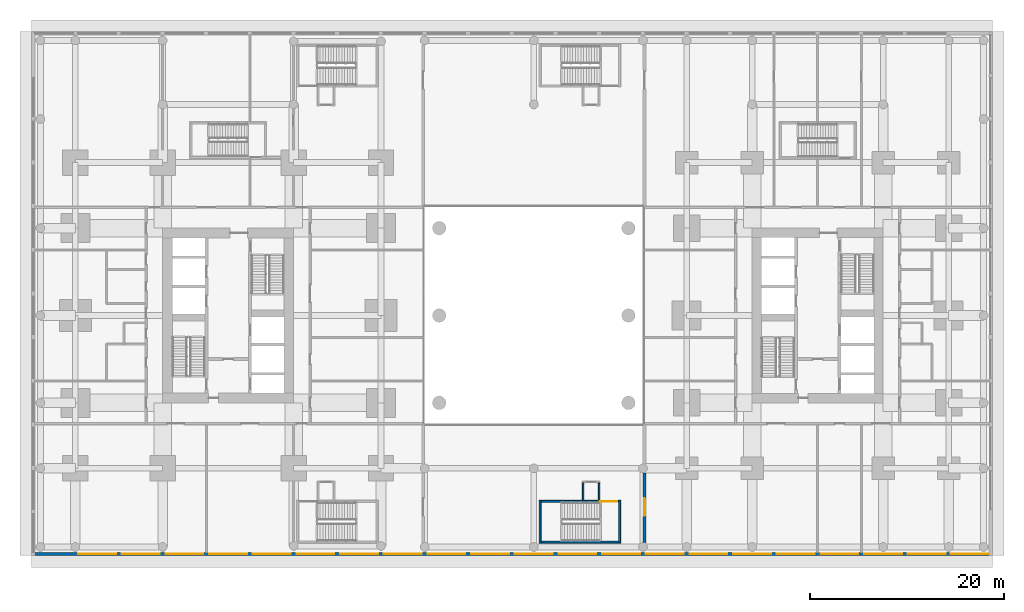
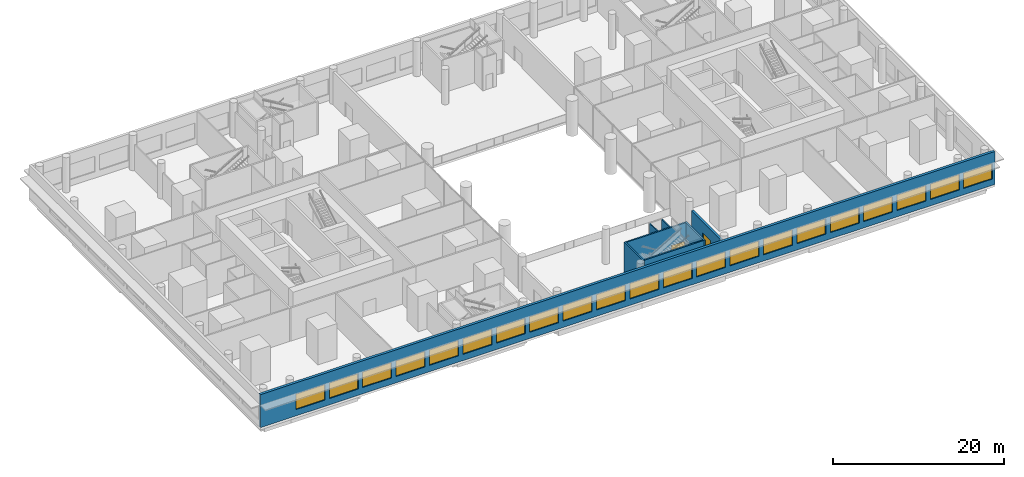
# One storey, part 12 of 22: 21 windows, 8 walls, 2 doors, 23 openings.
"""IFC4 building model written with IfcOpenShell, lengths in metres."""

import ifcopenshell
import ifcopenshell.guid

model = None  # the IFC model being written
_history = None  # IfcOwnerHistory: only IFC2X3 demands one
_inside = {}  # id of a spatial element -> (the spatial element, [elements in it])
_under = {}  # id of a project, library or spatial element -> (it, [spatial elements below it])
_declared = {}  # id of a project -> (the project, [libraries it declares])
_typed = {}  # id of a type object -> (the type object, [elements of that type])
_made_of = {}  # id of a material, layer set ... -> (it, [elements and type objects made of it])


def new_model(schema):
    """Start an empty IFC model of exactly this schema.

    Asked for "IFC4X3", IfcOpenShell would pick the latest addendum, in which some entities
    have other attributes; the version numbers below select the first issue.
    IFC2X3 requires an IfcOwnerHistory on every rooted entity: one is made here for all.
    """
    global model, _history
    if schema == "IFC4X3":
        model = ifcopenshell.file(schema_version=(4, 3, 0, 0))
    else:
        model = ifcopenshell.file(schema=schema)
    _inside.clear()
    _under.clear()
    _declared.clear()
    _typed.clear()
    _made_of.clear()
    _history = None
    if model.schema == "IFC2X3":
        org = make("IfcOrganization", Name="unknown")
        user = make(
            "IfcPersonAndOrganization",
            ThePerson=make("IfcPerson", FamilyName="unknown"),
            TheOrganization=org,
        )
        app = make(
            "IfcApplication",
            ApplicationDeveloper=org,
            Version="unknown",
            ApplicationFullName="unknown",
            ApplicationIdentifier="unknown",
        )
        _history = make(
            "IfcOwnerHistory",
            OwningUser=user,
            OwningApplication=app,
            ChangeAction="ADDED",
            CreationDate=0,
        )
    return model


def make(cls, **values):
    """One entity of the class cls with the attributes given. An attribute that is None is left unset."""
    return model.create_entity(
        cls, **{name: value for name, value in values.items() if value is not None}
    )


def rooted(cls, **values):
    """An entity with a GlobalId (a new one), such as an element, a storey or a relation."""
    return make(cls, GlobalId=ifcopenshell.guid.new(), OwnerHistory=_history, **values)


def si_unit(unit_type, name, prefix=None):
    """IfcSIUnit, for example si_unit("LENGTHUNIT", "METRE", prefix="MILLI")."""
    return make("IfcSIUnit", UnitType=unit_type, Prefix=prefix, Name=name)


def assignment(units):
    """IfcUnitAssignment: the units of a project."""
    return None if units is None else make("IfcUnitAssignment", Units=units)


def point(xyz):
    """IfcCartesianPoint."""
    return None if xyz is None else make("IfcCartesianPoint", Coordinates=xyz)


def direction(xyz):
    """IfcDirection."""
    return None if xyz is None else make("IfcDirection", DirectionRatios=xyz)


def frame(location, z_axis=None, x_axis=None):
    """IfcAxis2Placement3D, a coordinate frame: its origin and axes. An axis left out is left unset."""
    return make(
        "IfcAxis2Placement3D",
        Location=point(location),
        Axis=direction(z_axis),
        RefDirection=direction(x_axis),
    )


def frame_2d(location, x_axis=None):
    """IfcAxis2Placement2D, a coordinate frame in the plane: its origin and x axis."""
    return make(
        "IfcAxis2Placement2D", Location=point(location), RefDirection=direction(x_axis)
    )


def origin():
    """The frame at (0, 0, 0) with its axes left unset."""
    return frame((0.0, 0.0, 0.0))


def place(relative_to, where):
    """IfcLocalPlacement: puts the frame where relative to a parent placement (None: the world)."""
    return make(
        "IfcLocalPlacement", PlacementRelTo=relative_to, RelativePlacement=where
    )


def context(
    kind, dimensions, precision=None, world=None, true_north=None, identifier=None
):
    """IfcGeometricRepresentationContext, for example the 3D "Model" context."""
    return make(
        "IfcGeometricRepresentationContext",
        ContextIdentifier=identifier,
        ContextType=kind,
        CoordinateSpaceDimension=dimensions,
        Precision=precision,
        WorldCoordinateSystem=world,
        TrueNorth=true_north,
    )


def subcontext(parent, identifier, kind, view, scale=None):
    """IfcGeometricRepresentationSubContext, for example "Body" below "Model"."""
    return make(
        "IfcGeometricRepresentationSubContext",
        ContextIdentifier=identifier,
        ContextType=kind,
        ParentContext=parent,
        TargetScale=scale,
        TargetView=view,
    )


def project(units=None, contexts=None):
    """IfcProject with its units and contexts."""
    return rooted(
        "IfcProject",
        Name="project",
        RepresentationContexts=contexts,
        UnitsInContext=assignment(units),
    )


def spatial(cls, under=None, at=None, **own):
    """A site, building, storey or space (cls), placed at a placement, below another one or the project."""
    s = rooted(cls, ObjectPlacement=at, **own)
    if under is not None:
        _under.setdefault(under.id(), (under, []))[1].append(s)
    return s


def profile(cls, at=None, kind="AREA", **sizes):
    """A parametric profile (cls). Its sizes go by their IFC names, for example OverallWidth=200.0."""
    return make(cls, ProfileType=kind, Position=at, **sizes)


def rectangle(**sizes):
    """IfcRectangleProfileDef."""
    return profile("IfcRectangleProfileDef", **sizes)


def extrude(swept, where, along, depth):
    """IfcExtrudedAreaSolid: the profile swept, set in the frame where, extruded along a direction by depth."""
    return make(
        "IfcExtrudedAreaSolid",
        SweptArea=swept,
        Position=where,
        ExtrudedDirection=direction(along),
        Depth=depth,
    )


def shape(context_of_items, identifier, shape_type, items):
    """IfcShapeRepresentation: the items that make up one representation, for example the "Body"."""
    return make(
        "IfcShapeRepresentation",
        ContextOfItems=context_of_items,
        RepresentationIdentifier=identifier,
        RepresentationType=shape_type,
        Items=items,
    )


def material(Name=None, Category=None):
    """IfcMaterial."""
    return make("IfcMaterial", Name=Name, Category=Category)


def layer(
    of_material, thickness, ventilated=None, Name=None, Category=None, Priority=None
):
    """IfcMaterialLayer: one layer of a wall or slab, of a material (None: an air gap)."""
    return make(
        "IfcMaterialLayer",
        Material=of_material,
        LayerThickness=thickness,
        IsVentilated=ventilated,
        Name=Name,
        Category=Category,
        Priority=Priority,
    )


def layer_set(layers, Name=None):
    """IfcMaterialLayerSet."""
    return make("IfcMaterialLayerSet", MaterialLayers=layers, LayerSetName=Name)


def made_of(thing, what):
    """Note that an element or type object is made of a material, layer set ...; save() writes the relation."""
    if what is not None:
        _made_of.setdefault(what.id(), (what, []))[1].append(thing)
    return thing


def type_object(cls, material=None, **own):
    """A type object (cls), such as IfcWallType, which elements share."""
    return made_of(rooted(cls, **own), material)


def element(
    cls,
    number,
    at=None,
    inside=None,
    cuts=None,
    type_object=None,
    material=None,
    context=None,
    identifier="Body",
    shape_type=None,
    held_by="IfcProductDefinitionShape",
    body=None,
    shapes=None,
    **own,
):
    """One element of the class cls, such as IfcWall. Its Tag is "e" and its number.

    at: its placement. inside: the storey or other place that contains it. cuts: it is an
    opening in that element (IfcRelVoidsElement). A single representation is given by context,
    identifier, shape_type and body (its items); several are given by shapes. held_by: the class
    of the entity that holds the representations. save() writes the other relations.
    """
    e = rooted(cls, Tag="e%d" % number, ObjectPlacement=at, **own)
    if body is not None:
        shapes = [shape(context, identifier, shape_type, body)]
    if shapes is not None:
        e.Representation = make(held_by, Representations=shapes)
    if inside is not None:
        _inside.setdefault(inside.id(), (inside, []))[1].append(e)
    if cuts is not None:
        rooted(
            "IfcRelVoidsElement", RelatingBuildingElement=cuts, RelatedOpeningElement=e
        )
    if type_object is not None:
        _typed.setdefault(type_object.id(), (type_object, []))[1].append(e)
    return made_of(e, material)


def fill(opening, filler):
    """IfcRelFillsElement: the door or window that sits in an opening."""
    return rooted(
        "IfcRelFillsElement",
        RelatingOpeningElement=opening,
        RelatedBuildingElement=filler,
    )


def aggregate(whole, parts):
    """IfcRelAggregates: a whole, such as a stair, and the parts it consists of."""
    return rooted("IfcRelAggregates", RelatingObject=whole, RelatedObjects=parts)


def save(model, path):
    """Write the relations noted so far, then the file.

    IfcRelAggregates (storeys below a building ...), IfcRelContainedInSpatialStructure (elements
    in a storey), IfcRelDefinesByType, IfcRelAssociatesMaterial and IfcRelDeclares: one each for
    every whole, place, type object, material and project.
    """
    for whole, parts in _under.values():
        aggregate(whole, parts)
    for where, things in _inside.values():
        rooted(
            "IfcRelContainedInSpatialStructure",
            RelatedElements=things,
            RelatingStructure=where,
        )
    for kind, things in _typed.values():
        rooted("IfcRelDefinesByType", RelatedObjects=things, RelatingType=kind)
    for what, things in _made_of.values():
        rooted("IfcRelAssociatesMaterial", RelatedObjects=things, RelatingMaterial=what)
    for by, libraries in _declared.values():
        rooted("IfcRelDeclares", RelatingContext=by, RelatedDefinitions=libraries)
    model.write(path)


model = new_model("IFC4")

# Units and contexts
model_context = context("Model", 3, precision=1e-05, world=origin(), true_north=direction((0.0, 1.0)))
body_context = subcontext(model_context, "Body", "Model", "MODEL_VIEW")
ifc_project = project(units=[si_unit("LENGTHUNIT", "METRE"), si_unit("AREAUNIT", "SQUARE_METRE"), si_unit("VOLUMEUNIT", "CUBIC_METRE"), si_unit("PLANEANGLEUNIT", "RADIAN"), si_unit("MASSUNIT", "GRAM", prefix="KILO")], contexts=[model_context])

# Site, building, storey
site_placement = place(None, origin())
site = spatial("IfcSite", under=ifc_project, at=site_placement, CompositionType="ELEMENT")
building_placement = place(site_placement, origin())
building = spatial("IfcBuilding", under=site, at=building_placement, Name="Namib Vertical Campus", CompositionType="ELEMENT")
storey_placement = place(building_placement, frame((0.0, 0.0, 11.0)))
storey = spatial("IfcBuildingStorey", under=building, at=storey_placement, Name="L02", CompositionType="ELEMENT", Elevation=11.0)

# Wall, openings, windows
ifc_material_1 = material(Name="Concrete C40/50", Category="concrete")
ifc_layer_1 = layer(ifc_material_1, 0.35009765625)
ifc_layer_set_1 = layer_set([ifc_layer_1], Name="Concrete C40/50")
wall_type_1 = type_object("IfcWallType", Name="External wall 350 bush-hammered concrete", PredefinedType="STANDARD", material=ifc_layer_set_1)
wall_1_placement = place(storey_placement, frame((0.02001953125, -4.324951171875, 0.0), z_axis=(0.0, 0.0, 1.0), x_axis=(1.0, 0.0, 0.0)))
wall_1 = element("IfcWall", 1, at=wall_1_placement, inside=storey, type_object=wall_type_1, Name="External wall L02 F1", PredefinedType="STANDARD", context=body_context, shape_type="SweptSolid", body=[
    extrude(rectangle(XDim=98.9599609375, YDim=0.35009765625, at=frame_2d((49.47998046875, 0.0))), origin(), (0.0, 0.0, 1.0), 4.699951171875),
])
opening_1_placement = place(wall_1_placement, frame((4.780029296875, 0.0, 0.89990234375)))
opening_1 = element("IfcOpeningElement", 2, at=opening_1_placement, cuts=wall_1, Name="Opening W1", PredefinedType="OPENING", context=body_context, shape_type="SweptSolid", body=[
    extrude(rectangle(XDim=3.89990234375, YDim=2.199951171875, at=frame_2d((1.949951171875, 1.10009765625))), frame((0.0, 0.18505859375, 0.0), z_axis=(0.0, -1.0, 0.0), x_axis=(1.0, 0.0, 0.0)), (0.0, 0.0, 1.0), 0.3701171875),
])
opening_2_placement = place(wall_1_placement, frame((9.280029296875, 0.0, 0.89990234375)))
opening_2 = element("IfcOpeningElement", 3, at=opening_2_placement, cuts=wall_1, Name="Opening W1", PredefinedType="OPENING", context=body_context, shape_type="SweptSolid", body=[
    extrude(rectangle(XDim=3.89990234375, YDim=2.199951171875, at=frame_2d((1.949951171875, 1.10009765625))), frame((0.0, 0.18505859375, 0.0), z_axis=(0.0, -1.0, 0.0), x_axis=(1.0, 0.0, 0.0)), (0.0, 0.0, 1.0), 0.3701171875),
])
opening_3_placement = place(wall_1_placement, frame((13.780029296875, 0.0, 0.89990234375)))
opening_3 = element("IfcOpeningElement", 4, at=opening_3_placement, cuts=wall_1, Name="Opening W1", PredefinedType="OPENING", context=body_context, shape_type="SweptSolid", body=[
    extrude(rectangle(XDim=3.89990234375, YDim=2.199951171875, at=frame_2d((1.949951171875, 1.10009765625))), frame((0.0, 0.18505859375, 0.0), z_axis=(0.0, -1.0, 0.0), x_axis=(1.0, 0.0, 0.0)), (0.0, 0.0, 1.0), 0.3701171875),
])
opening_4_placement = place(wall_1_placement, frame((18.280029296875, 0.0, 0.89990234375)))
opening_4 = element("IfcOpeningElement", 5, at=opening_4_placement, cuts=wall_1, Name="Opening W1", PredefinedType="OPENING", context=body_context, shape_type="SweptSolid", body=[
    extrude(rectangle(XDim=3.89990234375, YDim=2.199951171875, at=frame_2d((1.949951171875, 1.10009765625))), frame((0.0, 0.18505859375, 0.0), z_axis=(0.0, -1.0, 0.0), x_axis=(1.0, 0.0, 0.0)), (0.0, 0.0, 1.0), 0.3701171875),
])
opening_5_placement = place(wall_1_placement, frame((22.780029296875, 0.0, 0.89990234375)))
opening_5 = element("IfcOpeningElement", 6, at=opening_5_placement, cuts=wall_1, Name="Opening W1", PredefinedType="OPENING", context=body_context, shape_type="SweptSolid", body=[
    extrude(rectangle(XDim=3.89990234375, YDim=2.199951171875, at=frame_2d((1.949951171875, 1.10009765625))), frame((0.0, 0.18505859375, 0.0), z_axis=(0.0, -1.0, 0.0), x_axis=(1.0, 0.0, 0.0)), (0.0, 0.0, 1.0), 0.3701171875),
])
opening_6_placement = place(wall_1_placement, frame((27.280029296875, 0.0, 0.89990234375)))
opening_6 = element("IfcOpeningElement", 7, at=opening_6_placement, cuts=wall_1, Name="Opening W1", PredefinedType="OPENING", context=body_context, shape_type="SweptSolid", body=[
    extrude(rectangle(XDim=3.89990234375, YDim=2.199951171875, at=frame_2d((1.949951171875, 1.10009765625))), frame((0.0, 0.18505859375, 0.0), z_axis=(0.0, -1.0, 0.0), x_axis=(1.0, 0.0, 0.0)), (0.0, 0.0, 1.0), 0.3701171875),
])
opening_7_placement = place(wall_1_placement, frame((31.780029296875, 0.0, 0.89990234375)))
opening_7 = element("IfcOpeningElement", 8, at=opening_7_placement, cuts=wall_1, Name="Opening W1", PredefinedType="OPENING", context=body_context, shape_type="SweptSolid", body=[
    extrude(rectangle(XDim=3.89990234375, YDim=2.199951171875, at=frame_2d((1.949951171875, 1.10009765625))), frame((0.0, 0.18505859375, 0.0), z_axis=(0.0, -1.0, 0.0), x_axis=(1.0, 0.0, 0.0)), (0.0, 0.0, 1.0), 0.3701171875),
])
opening_8_placement = place(wall_1_placement, frame((36.280029296875, 0.0, 0.89990234375)))
opening_8 = element("IfcOpeningElement", 9, at=opening_8_placement, cuts=wall_1, Name="Opening W1", PredefinedType="OPENING", context=body_context, shape_type="SweptSolid", body=[
    extrude(rectangle(XDim=3.89990234375, YDim=2.199951171875, at=frame_2d((1.949951171875, 1.10009765625))), frame((0.0, 0.18505859375, 0.0), z_axis=(0.0, -1.0, 0.0), x_axis=(1.0, 0.0, 0.0)), (0.0, 0.0, 1.0), 0.3701171875),
])
opening_9_placement = place(wall_1_placement, frame((40.780029296875, 0.0, 0.89990234375)))
opening_9 = element("IfcOpeningElement", 10, at=opening_9_placement, cuts=wall_1, Name="Opening W1", PredefinedType="OPENING", context=body_context, shape_type="SweptSolid", body=[
    extrude(rectangle(XDim=3.89990234375, YDim=2.199951171875, at=frame_2d((1.949951171875, 1.10009765625))), frame((0.0, 0.18505859375, 0.0), z_axis=(0.0, -1.0, 0.0), x_axis=(1.0, 0.0, 0.0)), (0.0, 0.0, 1.0), 0.3701171875),
])
opening_10_placement = place(wall_1_placement, frame((45.280029296875, 0.0, 0.89990234375)))
opening_10 = element("IfcOpeningElement", 11, at=opening_10_placement, cuts=wall_1, Name="Opening W1", PredefinedType="OPENING", context=body_context, shape_type="SweptSolid", body=[
    extrude(rectangle(XDim=3.89990234375, YDim=2.199951171875, at=frame_2d((1.949951171875, 1.10009765625))), frame((0.0, 0.18505859375, 0.0), z_axis=(0.0, -1.0, 0.0), x_axis=(1.0, 0.0, 0.0)), (0.0, 0.0, 1.0), 0.3701171875),
])
opening_11_placement = place(wall_1_placement, frame((49.780029296875, 0.0, 0.89990234375)))
opening_11 = element("IfcOpeningElement", 12, at=opening_11_placement, cuts=wall_1, Name="Opening W1", PredefinedType="OPENING", context=body_context, shape_type="SweptSolid", body=[
    extrude(rectangle(XDim=3.89990234375, YDim=2.199951171875, at=frame_2d((1.949951171875, 1.10009765625))), frame((0.0, 0.18505859375, 0.0), z_axis=(0.0, -1.0, 0.0), x_axis=(1.0, 0.0, 0.0)), (0.0, 0.0, 1.0), 0.3701171875),
])
opening_12_placement = place(wall_1_placement, frame((54.280029296875, 0.0, 0.89990234375)))
opening_12 = element("IfcOpeningElement", 13, at=opening_12_placement, cuts=wall_1, Name="Opening W1", PredefinedType="OPENING", context=body_context, shape_type="SweptSolid", body=[
    extrude(rectangle(XDim=3.89990234375, YDim=2.199951171875, at=frame_2d((1.949951171875, 1.10009765625))), frame((0.0, 0.18505859375, 0.0), z_axis=(0.0, -1.0, 0.0), x_axis=(1.0, 0.0, 0.0)), (0.0, 0.0, 1.0), 0.3701171875),
])
opening_13_placement = place(wall_1_placement, frame((58.780029296875, 0.0, 0.89990234375)))
opening_13 = element("IfcOpeningElement", 14, at=opening_13_placement, cuts=wall_1, Name="Opening W1", PredefinedType="OPENING", context=body_context, shape_type="SweptSolid", body=[
    extrude(rectangle(XDim=3.89990234375, YDim=2.199951171875, at=frame_2d((1.949951171875, 1.10009765625))), frame((0.0, 0.18505859375, 0.0), z_axis=(0.0, -1.0, 0.0), x_axis=(1.0, 0.0, 0.0)), (0.0, 0.0, 1.0), 0.3701171875),
])
opening_14_placement = place(wall_1_placement, frame((63.280029296875, 0.0, 0.89990234375)))
opening_14 = element("IfcOpeningElement", 15, at=opening_14_placement, cuts=wall_1, Name="Opening W1", PredefinedType="OPENING", context=body_context, shape_type="SweptSolid", body=[
    extrude(rectangle(XDim=3.89990234375, YDim=2.199951171875, at=frame_2d((1.949951171875, 1.10009765625))), frame((0.0, 0.18505859375, 0.0), z_axis=(0.0, -1.0, 0.0), x_axis=(1.0, 0.0, 0.0)), (0.0, 0.0, 1.0), 0.3701171875),
])
opening_15_placement = place(wall_1_placement, frame((67.780029296875, 0.0, 0.89990234375)))
opening_15 = element("IfcOpeningElement", 16, at=opening_15_placement, cuts=wall_1, Name="Opening W1", PredefinedType="OPENING", context=body_context, shape_type="SweptSolid", body=[
    extrude(rectangle(XDim=3.89990234375, YDim=2.199951171875, at=frame_2d((1.949951171875, 1.10009765625))), frame((0.0, 0.18505859375, 0.0), z_axis=(0.0, -1.0, 0.0), x_axis=(1.0, 0.0, 0.0)), (0.0, 0.0, 1.0), 0.3701171875),
])
opening_16_placement = place(wall_1_placement, frame((72.280029296875, 0.0, 0.89990234375)))
opening_16 = element("IfcOpeningElement", 17, at=opening_16_placement, cuts=wall_1, Name="Opening W1", PredefinedType="OPENING", context=body_context, shape_type="SweptSolid", body=[
    extrude(rectangle(XDim=3.89990234375, YDim=2.199951171875, at=frame_2d((1.949951171875, 1.10009765625))), frame((0.0, 0.18505859375, 0.0), z_axis=(0.0, -1.0, 0.0), x_axis=(1.0, 0.0, 0.0)), (0.0, 0.0, 1.0), 0.3701171875),
])
opening_17_placement = place(wall_1_placement, frame((76.780029296875, 0.0, 0.89990234375)))
opening_17 = element("IfcOpeningElement", 18, at=opening_17_placement, cuts=wall_1, Name="Opening W1", PredefinedType="OPENING", context=body_context, shape_type="SweptSolid", body=[
    extrude(rectangle(XDim=3.89990234375, YDim=2.199951171875, at=frame_2d((1.949951171875, 1.10009765625))), frame((0.0, 0.18505859375, 0.0), z_axis=(0.0, -1.0, 0.0), x_axis=(1.0, 0.0, 0.0)), (0.0, 0.0, 1.0), 0.3701171875),
])
opening_18_placement = place(wall_1_placement, frame((81.280029296875, 0.0, 0.89990234375)))
opening_18 = element("IfcOpeningElement", 19, at=opening_18_placement, cuts=wall_1, Name="Opening W1", PredefinedType="OPENING", context=body_context, shape_type="SweptSolid", body=[
    extrude(rectangle(XDim=3.89990234375, YDim=2.199951171875, at=frame_2d((1.949951171875, 1.10009765625))), frame((0.0, 0.18505859375, 0.0), z_axis=(0.0, -1.0, 0.0), x_axis=(1.0, 0.0, 0.0)), (0.0, 0.0, 1.0), 0.3701171875),
])
opening_19_placement = place(wall_1_placement, frame((85.780029296875, 0.0, 0.89990234375)))
opening_19 = element("IfcOpeningElement", 20, at=opening_19_placement, cuts=wall_1, Name="Opening W1", PredefinedType="OPENING", context=body_context, shape_type="SweptSolid", body=[
    extrude(rectangle(XDim=3.89990234375, YDim=2.199951171875, at=frame_2d((1.949951171875, 1.10009765625))), frame((0.0, 0.18505859375, 0.0), z_axis=(0.0, -1.0, 0.0), x_axis=(1.0, 0.0, 0.0)), (0.0, 0.0, 1.0), 0.3701171875),
])
opening_20_placement = place(wall_1_placement, frame((90.280029296875, 0.0, 0.89990234375)))
opening_20 = element("IfcOpeningElement", 21, at=opening_20_placement, cuts=wall_1, Name="Opening W1", PredefinedType="OPENING", context=body_context, shape_type="SweptSolid", body=[
    extrude(rectangle(XDim=3.89990234375, YDim=2.199951171875, at=frame_2d((1.949951171875, 1.10009765625))), frame((0.0, 0.18505859375, 0.0), z_axis=(0.0, -1.0, 0.0), x_axis=(1.0, 0.0, 0.0)), (0.0, 0.0, 1.0), 0.3701171875),
])
opening_21_placement = place(wall_1_placement, frame((94.7099609375, 0.0, 0.89990234375)))
opening_21 = element("IfcOpeningElement", 22, at=opening_21_placement, cuts=wall_1, Name="Opening W1", PredefinedType="OPENING", context=body_context, shape_type="SweptSolid", body=[
    extrude(rectangle(XDim=3.89990234375, YDim=2.199951171875, at=frame_2d((1.949951171875, 1.10009765625))), frame((0.0, 0.18505859375, 0.0), z_axis=(0.0, -1.0, 0.0), x_axis=(1.0, 0.0, 0.0)), (0.0, 0.0, 1.0), 0.3701171875),
])
ifc_material_2 = material(Name="Dark tinted glass in black aluminium frame", Category="aluminium")
window_type = type_object("IfcWindowType", Name="Ribbon window 3900x2200", PartitioningType="SINGLE_PANEL", PredefinedType="WINDOW", material=ifc_material_2)
window_1_placement = place(opening_1_placement, origin())
window_1 = element("IfcWindow", 23, at=window_1_placement, inside=storey, type_object=window_type, Name="Window W1 L02 F1-2", OverallHeight=2.199951171875, OverallWidth=3.89990234375, PartitioningType="SINGLE_PANEL", PredefinedType="WINDOW", context=body_context, shape_type="SweptSolid", body=[
    extrude(rectangle(XDim=3.89990234375, YDim=2.199951171875, at=frame_2d((1.949951171875, 1.10009765625))), frame((0.0, 0.030029296875, 0.0), z_axis=(0.0, -1.0, 0.0), x_axis=(1.0, 0.0, 0.0)), (0.0, 0.0, 1.0), 0.06005859375),
])
fill(opening_1, window_1)
window_2_placement = place(opening_2_placement, origin())
window_2 = element("IfcWindow", 24, at=window_2_placement, inside=storey, type_object=window_type, Name="Window W1 L02 F1-3", OverallHeight=2.199951171875, OverallWidth=3.89990234375, PartitioningType="SINGLE_PANEL", PredefinedType="WINDOW", context=body_context, shape_type="SweptSolid", body=[
    extrude(rectangle(XDim=3.89990234375, YDim=2.199951171875, at=frame_2d((1.949951171875, 1.10009765625))), frame((0.0, 0.030029296875, 0.0), z_axis=(0.0, -1.0, 0.0), x_axis=(1.0, 0.0, 0.0)), (0.0, 0.0, 1.0), 0.06005859375),
])
fill(opening_2, window_2)
window_3_placement = place(opening_3_placement, origin())
window_3 = element("IfcWindow", 25, at=window_3_placement, inside=storey, type_object=window_type, Name="Window W1 L02 F1-4", OverallHeight=2.199951171875, OverallWidth=3.89990234375, PartitioningType="SINGLE_PANEL", PredefinedType="WINDOW", context=body_context, shape_type="SweptSolid", body=[
    extrude(rectangle(XDim=3.89990234375, YDim=2.199951171875, at=frame_2d((1.949951171875, 1.10009765625))), frame((0.0, 0.030029296875, 0.0), z_axis=(0.0, -1.0, 0.0), x_axis=(1.0, 0.0, 0.0)), (0.0, 0.0, 1.0), 0.06005859375),
])
fill(opening_3, window_3)
window_4_placement = place(opening_4_placement, origin())
window_4 = element("IfcWindow", 26, at=window_4_placement, inside=storey, type_object=window_type, Name="Window W1 L02 F1-5", OverallHeight=2.199951171875, OverallWidth=3.89990234375, PartitioningType="SINGLE_PANEL", PredefinedType="WINDOW", context=body_context, shape_type="SweptSolid", body=[
    extrude(rectangle(XDim=3.89990234375, YDim=2.199951171875, at=frame_2d((1.949951171875, 1.10009765625))), frame((0.0, 0.030029296875, 0.0), z_axis=(0.0, -1.0, 0.0), x_axis=(1.0, 0.0, 0.0)), (0.0, 0.0, 1.0), 0.06005859375),
])
fill(opening_4, window_4)
window_5_placement = place(opening_5_placement, origin())
window_5 = element("IfcWindow", 27, at=window_5_placement, inside=storey, type_object=window_type, Name="Window W1 L02 F1-6", OverallHeight=2.199951171875, OverallWidth=3.89990234375, PartitioningType="SINGLE_PANEL", PredefinedType="WINDOW", context=body_context, shape_type="SweptSolid", body=[
    extrude(rectangle(XDim=3.89990234375, YDim=2.199951171875, at=frame_2d((1.949951171875, 1.10009765625))), frame((0.0, 0.030029296875, 0.0), z_axis=(0.0, -1.0, 0.0), x_axis=(1.0, 0.0, 0.0)), (0.0, 0.0, 1.0), 0.06005859375),
])
fill(opening_5, window_5)
window_6_placement = place(opening_6_placement, origin())
window_6 = element("IfcWindow", 28, at=window_6_placement, inside=storey, type_object=window_type, Name="Window W1 L02 F1-7", OverallHeight=2.199951171875, OverallWidth=3.89990234375, PartitioningType="SINGLE_PANEL", PredefinedType="WINDOW", context=body_context, shape_type="SweptSolid", body=[
    extrude(rectangle(XDim=3.89990234375, YDim=2.199951171875, at=frame_2d((1.949951171875, 1.10009765625))), frame((0.0, 0.030029296875, 0.0), z_axis=(0.0, -1.0, 0.0), x_axis=(1.0, 0.0, 0.0)), (0.0, 0.0, 1.0), 0.06005859375),
])
fill(opening_6, window_6)
window_7_placement = place(opening_7_placement, origin())
window_7 = element("IfcWindow", 29, at=window_7_placement, inside=storey, type_object=window_type, Name="Window W1 L02 F1-8", OverallHeight=2.199951171875, OverallWidth=3.89990234375, PartitioningType="SINGLE_PANEL", PredefinedType="WINDOW", context=body_context, shape_type="SweptSolid", body=[
    extrude(rectangle(XDim=3.89990234375, YDim=2.199951171875, at=frame_2d((1.949951171875, 1.10009765625))), frame((0.0, 0.030029296875, 0.0), z_axis=(0.0, -1.0, 0.0), x_axis=(1.0, 0.0, 0.0)), (0.0, 0.0, 1.0), 0.06005859375),
])
fill(opening_7, window_7)
window_8_placement = place(opening_8_placement, origin())
window_8 = element("IfcWindow", 30, at=window_8_placement, inside=storey, type_object=window_type, Name="Window W1 L02 F1-9", OverallHeight=2.199951171875, OverallWidth=3.89990234375, PartitioningType="SINGLE_PANEL", PredefinedType="WINDOW", context=body_context, shape_type="SweptSolid", body=[
    extrude(rectangle(XDim=3.89990234375, YDim=2.199951171875, at=frame_2d((1.949951171875, 1.10009765625))), frame((0.0, 0.030029296875, 0.0), z_axis=(0.0, -1.0, 0.0), x_axis=(1.0, 0.0, 0.0)), (0.0, 0.0, 1.0), 0.06005859375),
])
fill(opening_8, window_8)
window_9_placement = place(opening_9_placement, origin())
window_9 = element("IfcWindow", 31, at=window_9_placement, inside=storey, type_object=window_type, Name="Window W1 L02 F1-10", OverallHeight=2.199951171875, OverallWidth=3.89990234375, PartitioningType="SINGLE_PANEL", PredefinedType="WINDOW", context=body_context, shape_type="SweptSolid", body=[
    extrude(rectangle(XDim=3.89990234375, YDim=2.199951171875, at=frame_2d((1.949951171875, 1.10009765625))), frame((0.0, 0.030029296875, 0.0), z_axis=(0.0, -1.0, 0.0), x_axis=(1.0, 0.0, 0.0)), (0.0, 0.0, 1.0), 0.06005859375),
])
fill(opening_9, window_9)
window_10_placement = place(opening_10_placement, origin())
window_10 = element("IfcWindow", 32, at=window_10_placement, inside=storey, type_object=window_type, Name="Window W1 L02 F1-11", OverallHeight=2.199951171875, OverallWidth=3.89990234375, PartitioningType="SINGLE_PANEL", PredefinedType="WINDOW", context=body_context, shape_type="SweptSolid", body=[
    extrude(rectangle(XDim=3.89990234375, YDim=2.199951171875, at=frame_2d((1.949951171875, 1.10009765625))), frame((0.0, 0.030029296875, 0.0), z_axis=(0.0, -1.0, 0.0), x_axis=(1.0, 0.0, 0.0)), (0.0, 0.0, 1.0), 0.06005859375),
])
fill(opening_10, window_10)
window_11_placement = place(opening_11_placement, origin())
window_11 = element("IfcWindow", 33, at=window_11_placement, inside=storey, type_object=window_type, Name="Window W1 L02 F1-12", OverallHeight=2.199951171875, OverallWidth=3.89990234375, PartitioningType="SINGLE_PANEL", PredefinedType="WINDOW", context=body_context, shape_type="SweptSolid", body=[
    extrude(rectangle(XDim=3.89990234375, YDim=2.199951171875, at=frame_2d((1.949951171875, 1.10009765625))), frame((0.0, 0.030029296875, 0.0), z_axis=(0.0, -1.0, 0.0), x_axis=(1.0, 0.0, 0.0)), (0.0, 0.0, 1.0), 0.06005859375),
])
fill(opening_11, window_11)
window_12_placement = place(opening_12_placement, origin())
window_12 = element("IfcWindow", 34, at=window_12_placement, inside=storey, type_object=window_type, Name="Window W1 L02 F1-13", OverallHeight=2.199951171875, OverallWidth=3.89990234375, PartitioningType="SINGLE_PANEL", PredefinedType="WINDOW", context=body_context, shape_type="SweptSolid", body=[
    extrude(rectangle(XDim=3.89990234375, YDim=2.199951171875, at=frame_2d((1.949951171875, 1.10009765625))), frame((0.0, 0.030029296875, 0.0), z_axis=(0.0, -1.0, 0.0), x_axis=(1.0, 0.0, 0.0)), (0.0, 0.0, 1.0), 0.06005859375),
])
fill(opening_12, window_12)
window_13_placement = place(opening_13_placement, origin())
window_13 = element("IfcWindow", 35, at=window_13_placement, inside=storey, type_object=window_type, Name="Window W1 L02 F1-14", OverallHeight=2.199951171875, OverallWidth=3.89990234375, PartitioningType="SINGLE_PANEL", PredefinedType="WINDOW", context=body_context, shape_type="SweptSolid", body=[
    extrude(rectangle(XDim=3.89990234375, YDim=2.199951171875, at=frame_2d((1.949951171875, 1.10009765625))), frame((0.0, 0.030029296875, 0.0), z_axis=(0.0, -1.0, 0.0), x_axis=(1.0, 0.0, 0.0)), (0.0, 0.0, 1.0), 0.06005859375),
])
fill(opening_13, window_13)
window_14_placement = place(opening_14_placement, origin())
window_14 = element("IfcWindow", 36, at=window_14_placement, inside=storey, type_object=window_type, Name="Window W1 L02 F1-15", OverallHeight=2.199951171875, OverallWidth=3.89990234375, PartitioningType="SINGLE_PANEL", PredefinedType="WINDOW", context=body_context, shape_type="SweptSolid", body=[
    extrude(rectangle(XDim=3.89990234375, YDim=2.199951171875, at=frame_2d((1.949951171875, 1.10009765625))), frame((0.0, 0.030029296875, 0.0), z_axis=(0.0, -1.0, 0.0), x_axis=(1.0, 0.0, 0.0)), (0.0, 0.0, 1.0), 0.06005859375),
])
fill(opening_14, window_14)
window_15_placement = place(opening_15_placement, origin())
window_15 = element("IfcWindow", 37, at=window_15_placement, inside=storey, type_object=window_type, Name="Window W1 L02 F1-16", OverallHeight=2.199951171875, OverallWidth=3.89990234375, PartitioningType="SINGLE_PANEL", PredefinedType="WINDOW", context=body_context, shape_type="SweptSolid", body=[
    extrude(rectangle(XDim=3.89990234375, YDim=2.199951171875, at=frame_2d((1.949951171875, 1.10009765625))), frame((0.0, 0.030029296875, 0.0), z_axis=(0.0, -1.0, 0.0), x_axis=(1.0, 0.0, 0.0)), (0.0, 0.0, 1.0), 0.06005859375),
])
fill(opening_15, window_15)
window_16_placement = place(opening_16_placement, origin())
window_16 = element("IfcWindow", 38, at=window_16_placement, inside=storey, type_object=window_type, Name="Window W1 L02 F1-17", OverallHeight=2.199951171875, OverallWidth=3.89990234375, PartitioningType="SINGLE_PANEL", PredefinedType="WINDOW", context=body_context, shape_type="SweptSolid", body=[
    extrude(rectangle(XDim=3.89990234375, YDim=2.199951171875, at=frame_2d((1.949951171875, 1.10009765625))), frame((0.0, 0.030029296875, 0.0), z_axis=(0.0, -1.0, 0.0), x_axis=(1.0, 0.0, 0.0)), (0.0, 0.0, 1.0), 0.06005859375),
])
fill(opening_16, window_16)
window_17_placement = place(opening_17_placement, origin())
window_17 = element("IfcWindow", 39, at=window_17_placement, inside=storey, type_object=window_type, Name="Window W1 L02 F1-18", OverallHeight=2.199951171875, OverallWidth=3.89990234375, PartitioningType="SINGLE_PANEL", PredefinedType="WINDOW", context=body_context, shape_type="SweptSolid", body=[
    extrude(rectangle(XDim=3.89990234375, YDim=2.199951171875, at=frame_2d((1.949951171875, 1.10009765625))), frame((0.0, 0.030029296875, 0.0), z_axis=(0.0, -1.0, 0.0), x_axis=(1.0, 0.0, 0.0)), (0.0, 0.0, 1.0), 0.06005859375),
])
fill(opening_17, window_17)
window_18_placement = place(opening_18_placement, origin())
window_18 = element("IfcWindow", 40, at=window_18_placement, inside=storey, type_object=window_type, Name="Window W1 L02 F1-19", OverallHeight=2.199951171875, OverallWidth=3.89990234375, PartitioningType="SINGLE_PANEL", PredefinedType="WINDOW", context=body_context, shape_type="SweptSolid", body=[
    extrude(rectangle(XDim=3.89990234375, YDim=2.199951171875, at=frame_2d((1.949951171875, 1.10009765625))), frame((0.0, 0.030029296875, 0.0), z_axis=(0.0, -1.0, 0.0), x_axis=(1.0, 0.0, 0.0)), (0.0, 0.0, 1.0), 0.06005859375),
])
fill(opening_18, window_18)
window_19_placement = place(opening_19_placement, origin())
window_19 = element("IfcWindow", 41, at=window_19_placement, inside=storey, type_object=window_type, Name="Window W1 L02 F1-20", OverallHeight=2.199951171875, OverallWidth=3.89990234375, PartitioningType="SINGLE_PANEL", PredefinedType="WINDOW", context=body_context, shape_type="SweptSolid", body=[
    extrude(rectangle(XDim=3.89990234375, YDim=2.199951171875, at=frame_2d((1.949951171875, 1.10009765625))), frame((0.0, 0.030029296875, 0.0), z_axis=(0.0, -1.0, 0.0), x_axis=(1.0, 0.0, 0.0)), (0.0, 0.0, 1.0), 0.06005859375),
])
fill(opening_19, window_19)
window_20_placement = place(opening_20_placement, origin())
window_20 = element("IfcWindow", 42, at=window_20_placement, inside=storey, type_object=window_type, Name="Window W1 L02 F1-21", OverallHeight=2.199951171875, OverallWidth=3.89990234375, PartitioningType="SINGLE_PANEL", PredefinedType="WINDOW", context=body_context, shape_type="SweptSolid", body=[
    extrude(rectangle(XDim=3.89990234375, YDim=2.199951171875, at=frame_2d((1.949951171875, 1.10009765625))), frame((0.0, 0.030029296875, 0.0), z_axis=(0.0, -1.0, 0.0), x_axis=(1.0, 0.0, 0.0)), (0.0, 0.0, 1.0), 0.06005859375),
])
fill(opening_20, window_20)
window_21_placement = place(opening_21_placement, origin())
window_21 = element("IfcWindow", 43, at=window_21_placement, inside=storey, type_object=window_type, Name="Window W1 L02 F1-22", OverallHeight=2.199951171875, OverallWidth=3.89990234375, PartitioningType="SINGLE_PANEL", PredefinedType="WINDOW", context=body_context, shape_type="SweptSolid", body=[
    extrude(rectangle(XDim=3.89990234375, YDim=2.199951171875, at=frame_2d((1.949951171875, 1.10009765625))), frame((0.0, 0.030029296875, 0.0), z_axis=(0.0, -1.0, 0.0), x_axis=(1.0, 0.0, 0.0)), (0.0, 0.0, 1.0), 0.06005859375),
])
fill(opening_21, window_21)

# Wall, opening, door
ifc_material_3 = material(Name="Concrete masonry", Category="masonry")
ifc_layer_2 = layer(ifc_material_3, 0.300048828125)
ifc_layer_set_2 = layer_set([ifc_layer_2], Name="Fire wall 300")
wall_type_2 = type_object("IfcWallType", Name="Fire wall 300", PredefinedType="SOLIDWALL", material=ifc_layer_set_2)
wall_2_placement = place(storey_placement, frame((63.14990234375, -3.1298828125, 0.0), z_axis=(0.0, 0.0, 1.0), x_axis=(0.0, 1.0, 0.0)))
wall_2 = element("IfcWall", 44, at=wall_2_placement, inside=storey, type_object=wall_type_2, Name="Fire wall B L02", PredefinedType="SOLIDWALL", context=body_context, shape_type="SweptSolid", body=[
    extrude(rectangle(XDim=7.159912109375, YDim=0.300048828125, at=frame_2d((3.580078125, 0.0))), origin(), (0.0, 0.0, 1.0), 3.699951171875),
])
opening_22_placement = place(wall_2_placement, frame((2.72998046875, 0.0, 0.0)))
opening_22 = element("IfcOpeningElement", 45, at=opening_22_placement, cuts=wall_2, Name="Opening FD2", PredefinedType="OPENING", context=body_context, shape_type="SweptSolid", body=[
    extrude(rectangle(XDim=1.800048828125, YDim=2.10009765625, at=frame_2d((0.89990234375, 1.050048828125))), frame((0.0, 0.159912109375, 0.0), z_axis=(0.0, -1.0, 0.0), x_axis=(1.0, 0.0, 0.0)), (0.0, 0.0, 1.0), 0.320068359375),
])
ifc_material_4 = material(Name="Steel fire door", Category="steel")
door_type = type_object("IfcDoorType", Name="Fire door double 1800x2100", OperationType="DOUBLE_DOOR_SINGLE_SWING", PredefinedType="DOOR", material=ifc_material_4)
door_1_placement = place(opening_22_placement, origin())
door_1 = element("IfcDoor", 46, at=door_1_placement, inside=storey, type_object=door_type, Name="Door FD2 middle B L02 1", OperationType="DOUBLE_DOOR_SINGLE_SWING", OverallHeight=2.10009765625, OverallWidth=1.800048828125, PredefinedType="DOOR", context=body_context, shape_type="SweptSolid", body=[
    extrude(rectangle(XDim=1.800048828125, YDim=2.10009765625, at=frame_2d((0.89990234375, 1.050048828125))), frame((0.0, 0.02490234375, 0.0), z_axis=(0.0, -1.0, 0.0), x_axis=(1.0, 0.0, 0.0)), (0.0, 0.0, 1.0), 0.050048828125),
])
fill(opening_22, door_1)

# Walls
ifc_material_5 = material(Name="Gypsum board on steel studs", Category="steel")
ifc_layer_3 = layer(ifc_material_5, 0.14990234375)
ifc_layer_set_3 = layer_set([ifc_layer_3], Name="Gypsum board on steel studs")
wall_type_3 = type_object("IfcWallType", Name="Partition 150", PredefinedType="PARTITIONING", material=ifc_layer_set_3)
for number, where, z_axis, x_axis, name in (
    (47, (58.47509765625, 1.199951171875, 0.0), (0.0, 0.0, 1.0), (0.0, 1.0, 0.0), "Refuge cell partition P-S4 L02"),
    (48, (56.824951171875, 1.199951171875, 0.0), (0.0, 0.0, 1.0), (0.0, 1.0, 0.0), "Refuge cell partition P-S4 L02"),
):
    element("IfcWall", number, at=place(storey_placement, frame(where, z_axis=z_axis, x_axis=x_axis)), inside=storey, type_object=wall_type_3, Name=name, PredefinedType="PARTITIONING", context=body_context, shape_type="SweptSolid", body=[
        extrude(rectangle(XDim=1.800048828125, YDim=0.14990234375, at=frame_2d((0.89990234375, 0.0))), origin(), (0.0, 0.0, 1.0), 4.699951171875),
    ])

# Wall, opening, door
ifc_material_6 = material(Name="Concrete C40/50", Category="concrete")
ifc_layer_4 = layer(ifc_material_6, 0.199951171875)
ifc_layer_set_4 = layer_set([ifc_layer_4], Name="Concrete C40/50")
wall_type_4 = type_object("IfcWallType", Name="Stair enclosure wall RC 200", PredefinedType="SOLIDWALL", material=ifc_layer_set_4)
wall_3_placement = place(storey_placement, frame((52.5, 1.10009765625, 0.0), z_axis=(0.0, 0.0, 1.0), x_axis=(1.0, 0.0, 0.0)))
wall_3 = element("IfcWall", 49, at=wall_3_placement, inside=storey, type_object=wall_type_4, Name="Stair enclosure wall P-S4 L02 room side", PredefinedType="SOLIDWALL", context=body_context, shape_type="SweptSolid", body=[
    extrude(rectangle(XDim=8.0, YDim=0.199951171875, at=frame_2d((4.0, 0.0))), origin(), (0.0, 0.0, 1.0), 4.699951171875),
])
opening_23_placement = place(wall_3_placement, frame((6.050048828125, 0.0, 0.0)))
opening_23 = element("IfcOpeningElement", 50, at=opening_23_placement, cuts=wall_3, Name="Opening FD2", PredefinedType="OPENING", context=body_context, shape_type="SweptSolid", body=[
    extrude(rectangle(XDim=1.800048828125, YDim=2.10009765625, at=frame_2d((0.89990234375, 1.050048828125))), frame((0.0, 0.10986328125, 0.0), z_axis=(0.0, -1.0, 0.0), x_axis=(1.0, 0.0, 0.0)), (0.0, 0.0, 1.0), 0.219970703125),
])
door_2_placement = place(opening_23_placement, frame((1.800048828125, 0.0, 0.0), z_axis=(0.0, 0.0, 1.0), x_axis=(-1.0, 0.0, 0.0)))
door_2 = element("IfcDoor", 51, at=door_2_placement, inside=storey, type_object=door_type, Name="Stair door FD2 P-S4 L02", OperationType="DOUBLE_DOOR_SINGLE_SWING", OverallHeight=2.10009765625, OverallWidth=1.800048828125, PredefinedType="DOOR", context=body_context, shape_type="SweptSolid", body=[
    extrude(rectangle(XDim=1.800048828125, YDim=2.10009765625, at=frame_2d((0.89990234375, 1.050048828125))), frame((0.0, 0.02490234375, 0.0), z_axis=(0.0, -1.0, 0.0), x_axis=(1.0, 0.0, 0.0)), (0.0, 0.0, 1.0), 0.050048828125),
])
fill(opening_23, door_2)

# Walls
wall_4_placement = place(storey_placement, frame((52.5, -3.10009765625, 0.0), z_axis=(0.0, 0.0, 1.0), x_axis=(1.0, 0.0, 0.0)))
element("IfcWall", 52, at=wall_4_placement, inside=storey, type_object=wall_type_4, Name="Stair enclosure wall P-S4 L02 facade side", PredefinedType="SOLIDWALL", context=body_context, shape_type="SweptSolid", body=[
    extrude(rectangle(XDim=8.0, YDim=0.199951171875, at=frame_2d((4.0, 0.0))), origin(), (0.0, 0.0, 1.0), 4.699951171875),
])
for number, where, z_axis, x_axis, name in (
    (53, (52.39990234375, -3.199951171875, 0.0), (0.0, 0.0, 1.0), (0.0, 1.0, 0.0), "Stair enclosure wall P-S4 L02 W"),
    (54, (60.60009765625, -3.199951171875, 0.0), (0.0, 0.0, 1.0), (0.0, 1.0, 0.0), "Stair enclosure wall P-S4 L02 E"),
):
    element("IfcWall", number, at=place(storey_placement, frame(where, z_axis=z_axis, x_axis=x_axis)), inside=storey, type_object=wall_type_4, Name=name, PredefinedType="SOLIDWALL", context=body_context, shape_type="SweptSolid", body=[
        extrude(rectangle(XDim=4.39990234375, YDim=0.199951171875, at=frame_2d((2.199951171875, 0.0))), origin(), (0.0, 0.0, 1.0), 4.699951171875),
    ])

save(model, "model.ifc")
